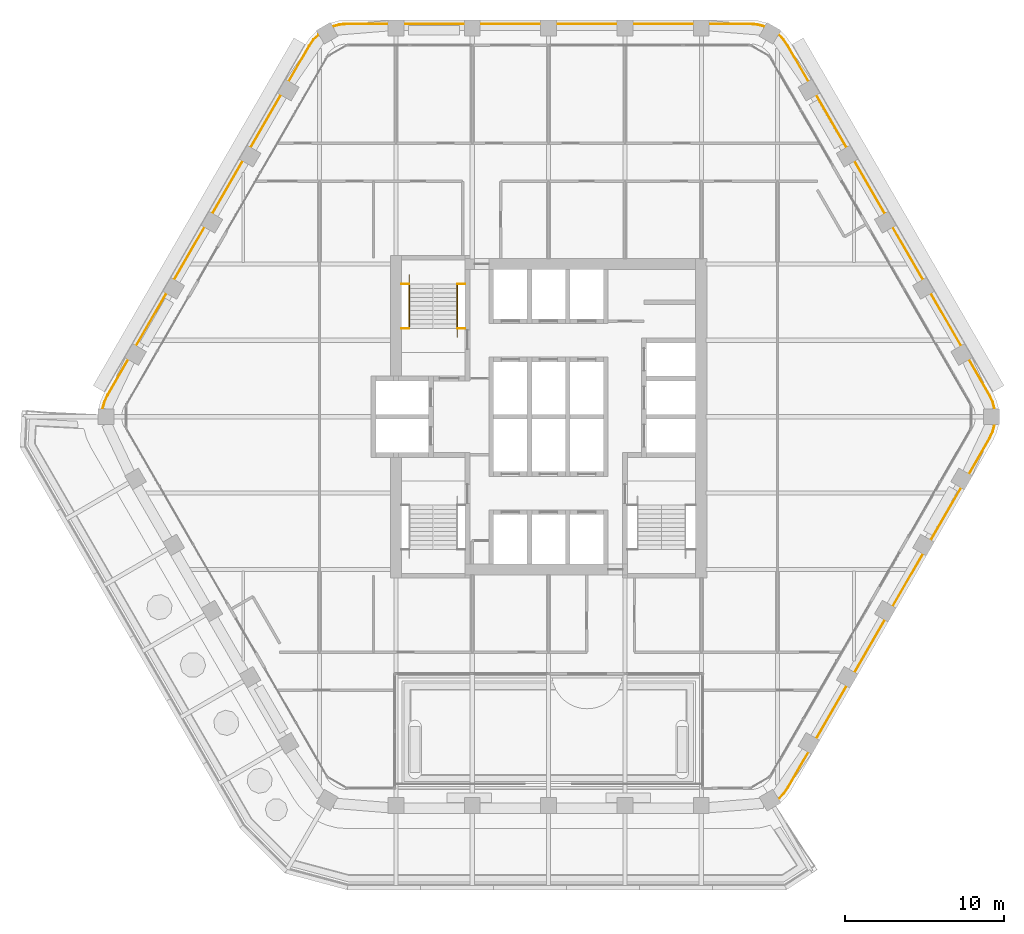
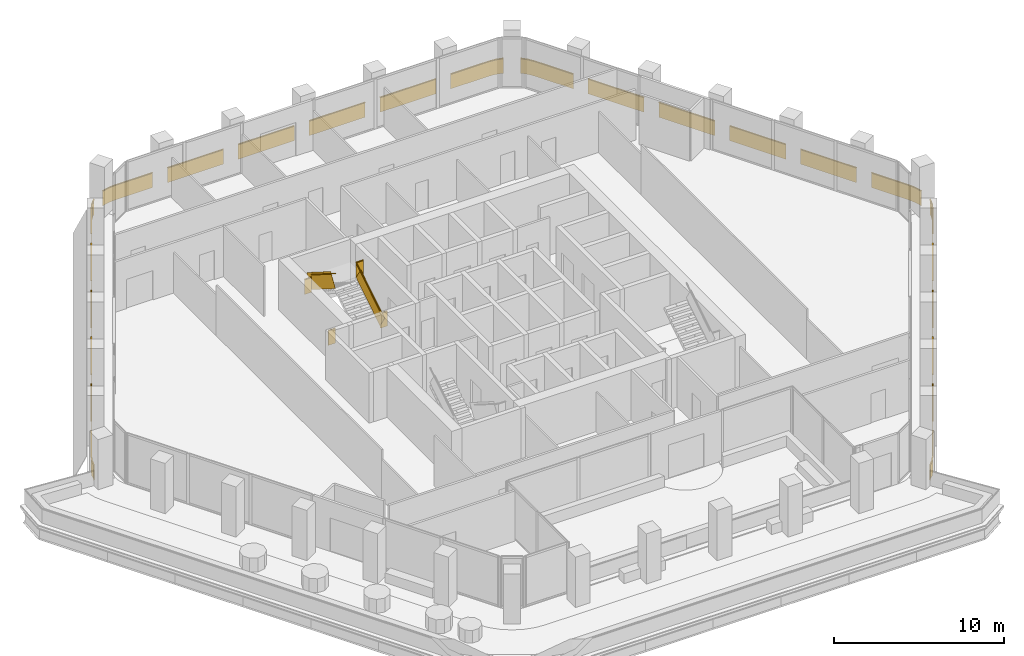
# One storey, part 18 of 18: 6 railings.
"""IFC4 building model written with IfcOpenShell, lengths in metres."""

from ifc_helpers import new_model, si_unit, direction, frame, frame_2d, origin, origin_2d, place, context, subcontext, project, spatial, rectangle, extrude, material, type_object, element, save


model = new_model("IFC4")

# Units and contexts
model_context = context("Model", 3, precision=1e-05, world=origin(), true_north=direction((0.0, 1.0)))
body_context = subcontext(model_context, "Body", "Model", "MODEL_VIEW")
ifc_project = project(units=[si_unit("LENGTHUNIT", "METRE"), si_unit("AREAUNIT", "SQUARE_METRE"), si_unit("VOLUMEUNIT", "CUBIC_METRE"), si_unit("PLANEANGLEUNIT", "RADIAN"), si_unit("MASSUNIT", "GRAM", prefix="KILO")], contexts=[model_context])

# Site, building, storey
site_placement = place(None, origin())
site = spatial("IfcSite", under=ifc_project, at=site_placement, CompositionType="ELEMENT")
building_placement = place(site_placement, origin())
building = spatial("IfcBuilding", under=site, at=building_placement, Name="Kolab Exchange Tower", CompositionType="ELEMENT")
storey_placement = place(building_placement, frame((0.0, 0.0, 212.89990234375)))
storey = spatial("IfcBuildingStorey", under=building, at=storey_placement, Name="L46", CompositionType="ELEMENT", Elevation=212.89990234375)

# Railings
ifc_material_1 = material(Name="Stainless steel 316", Category="steel")
railing_type_1 = type_object("IfcRailingType", Name="GUARD 1100", PredefinedType="GUARDRAIL", material=ifc_material_1)
railing_1_placement = place(storey_placement, frame((-9.25, 5.550048828125, 0.0)))
element("IfcRailing", 1, at=railing_1_placement, inside=storey, type_object=railing_type_1, Name="Guard ST1", PredefinedType="GUARDRAIL", context=body_context, shape_type="SweptSolid", body=[
    extrude(rectangle(XDim=0.05, YDim=0.05, at=origin_2d()), frame((0.0, 0.0, 1.0751953125), z_axis=(1.0, 0.0, 0.0), x_axis=(0.0, 1.0, 0.0)), (0.0, 0.0, 1.0), 0.489990234375),
    extrude(rectangle(XDim=0.012, YDim=1.05009765625, at=frame_2d((0.0, 0.525146484375))), frame((0.0, 0.0, 0.0), z_axis=(1.0, 0.0, 0.0), x_axis=(0.0, 1.0, 0.0)), (0.0, 0.0, 1.0), 0.489990234375),
    extrude(rectangle(XDim=0.05, YDim=0.05, at=origin_2d()), frame((3.510009765625, 0.0, 1.0751953125), z_axis=(1.0, 0.0, 0.0), x_axis=(0.0, 1.0, 0.0)), (0.0, 0.0, 1.0), 0.489990234375),
    extrude(rectangle(XDim=0.012, YDim=1.05009765625, at=frame_2d((0.0, 0.525146484375))), frame((3.510009765625, 0.0, 0.0), z_axis=(1.0, 0.0, 0.0), x_axis=(0.0, 1.0, 0.0)), (0.0, 0.0, 1.0), 0.489990234375),
    extrude(rectangle(XDim=0.05, YDim=0.05, at=origin_2d()), frame((0.0, 2.800048828125, 3.025390625), z_axis=(1.0, 0.0, 0.0), x_axis=(0.0, 1.0, 0.0)), (0.0, 0.0, 1.0), 0.489990234375),
    extrude(rectangle(XDim=0.012, YDim=1.05009765625, at=frame_2d((0.0, 0.525146484375))), frame((0.0, 2.800048828125, 1.9501953125), z_axis=(1.0, 0.0, 0.0), x_axis=(0.0, 1.0, 0.0)), (0.0, 0.0, 1.0), 0.489990234375),
    extrude(rectangle(XDim=0.05, YDim=0.05, at=origin_2d()), frame((3.510009765625, 2.800048828125, 3.025390625), z_axis=(1.0, 0.0, 0.0), x_axis=(0.0, 1.0, 0.0)), (0.0, 0.0, 1.0), 0.489990234375),
    extrude(rectangle(XDim=0.012, YDim=1.05009765625, at=frame_2d((0.0, 0.525146484375))), frame((3.510009765625, 2.800048828125, 1.9501953125), z_axis=(1.0, 0.0, 0.0), x_axis=(0.0, 1.0, 0.0)), (0.0, 0.0, 1.0), 0.489990234375),
])
railing_2_placement = place(storey_placement, frame((-5.739990234375, 5.550048828125, 0.177490234375)))
element("IfcRailing", 2, at=railing_2_placement, inside=storey, type_object=railing_type_1, Name="Handrail guard ST1", PredefinedType="GUARDRAIL", context=body_context, shape_type="SweptSolid", body=[
    extrude(rectangle(XDim=0.05, YDim=0.05, at=origin_2d()), frame((0.0, 0.0, 1.0751953125), z_axis=(0.0, 0.844908973607, 0.534910110503), x_axis=(-1.0, 0.0, 0.0)), (0.0, 0.0, 1.0), 3.31396484375),
    extrude(rectangle(XDim=0.012, YDim=1.05009765625, at=frame_2d((0.0, 0.525146484375))), frame((0.0, 0.0, 0.0), z_axis=(0.0, 0.844908973607, 0.534910110503), x_axis=(-1.0, 0.0, 0.0)), (0.0, 0.0, 1.0), 3.31396484375),
    extrude(rectangle(XDim=0.05, YDim=0.05, at=origin_2d()), frame((-3.02001953125, 2.800048828125, 3.025146484375), z_axis=(0.0, -0.844908973607, 0.534910110503), x_axis=(1.0, 0.0, 0.0)), (0.0, 0.0, 1.0), 3.31396484375),
    extrude(rectangle(XDim=0.012, YDim=1.05009765625, at=frame_2d((0.0, 0.525146484375))), frame((-3.02001953125, 2.800048828125, 1.949951171875), z_axis=(0.0, -0.844908973607, 0.534910110503), x_axis=(1.0, 0.0, 0.0)), (0.0, 0.0, 1.0), 3.31396484375),
])
ifc_material_2 = material(Name="Steel S235", Category="steel")
railing_type_2 = type_object("IfcRailingType", Name="GUARD 1100 GLASS BALUSTRADE AND STEEL TOP RAIL", PredefinedType="GUARDRAIL", material=ifc_material_2)
railing_3_placement = place(storey_placement, frame((13.588623046875, 24.531005859375, 0.0)))
element("IfcRailing", 3, at=railing_3_placement, inside=storey, type_object=railing_type_2, Name="Guard", PredefinedType="GUARDRAIL", context=body_context, shape_type="SweptSolid", body=[
    extrude(rectangle(XDim=0.05, YDim=0.05, at=origin_2d()), frame((0.0, 0.0, 1.0751953125), z_axis=(-0.965969425465, 0.25865627591, 0.0), x_axis=(-0.25865627591, -0.965969425465, 0.0)), (0.0, 0.0, 1.0), 0.458740234375),
    extrude(rectangle(XDim=0.012, YDim=1.05009765625, at=frame_2d((0.0, 0.525146484375))), frame((0.0, 0.0, 0.0), z_axis=(-0.965969425465, 0.25865627591, 0.0), x_axis=(-0.25865627591, -0.965969425465, 0.0)), (0.0, 0.0, 1.0), 0.458740234375),
    extrude(rectangle(XDim=0.05, YDim=0.05, at=origin_2d()), frame((-0.443115234375, 0.11865234375, 1.0751953125), z_axis=(-0.996156034798, 0.087596542937, 0.0), x_axis=(-0.087596542937, -0.996156034798, 0.0)), (0.0, 0.0, 1.0), 0.4794921875),
    extrude(rectangle(XDim=0.012, YDim=1.05009765625, at=frame_2d((0.0, 0.525146484375))), frame((-0.443115234375, 0.11865234375, 0.0), z_axis=(-0.996156034798, 0.087596542937, 0.0), x_axis=(-0.087596542937, -0.996156034798, 0.0)), (0.0, 0.0, 1.0), 0.4794921875),
    extrude(rectangle(XDim=0.05, YDim=0.05, at=origin_2d()), frame((-0.920654296875, 0.16064453125, 1.0751953125), z_axis=(-1.0, 0.0, 0.0), x_axis=(0.0, -1.0, 0.0)), (0.0, 0.0, 1.0), 2.56787109375),
    extrude(rectangle(XDim=0.012, YDim=1.05009765625, at=frame_2d((0.0, 0.525146484375))), frame((-0.920654296875, 0.16064453125, 0.0), z_axis=(-1.0, 0.0, 0.0), x_axis=(0.0, -1.0, 0.0)), (0.0, 0.0, 1.0), 2.56787109375),
    extrude(rectangle(XDim=0.05, YDim=0.05, at=origin_2d()), frame((-4.488525390625, 0.16064453125, 1.0751953125), z_axis=(-1.0, 0.0, 0.0), x_axis=(0.0, -1.0, 0.0)), (0.0, 0.0, 1.0), 3.800048828125),
    extrude(rectangle(XDim=0.012, YDim=1.05009765625, at=frame_2d((0.0, 0.525146484375))), frame((-4.488525390625, 0.16064453125, 0.0), z_axis=(-1.0, 0.0, 0.0), x_axis=(0.0, -1.0, 0.0)), (0.0, 0.0, 1.0), 3.800048828125),
    extrude(rectangle(XDim=0.05, YDim=0.05, at=origin_2d()), frame((-9.28857421875, 0.16064453125, 1.0751953125), z_axis=(-1.0, 0.0, 0.0), x_axis=(0.0, -1.0, 0.0)), (0.0, 0.0, 1.0), 3.800048828125),
    extrude(rectangle(XDim=0.012, YDim=1.05009765625, at=frame_2d((0.0, 0.525146484375))), frame((-9.28857421875, 0.16064453125, 0.0), z_axis=(-1.0, 0.0, 0.0), x_axis=(0.0, -1.0, 0.0)), (0.0, 0.0, 1.0), 3.800048828125),
    extrude(rectangle(XDim=0.05, YDim=0.05, at=origin_2d()), frame((-14.088623046875, 0.16064453125, 1.0751953125), z_axis=(-1.0, 0.0, 0.0), x_axis=(0.0, -1.0, 0.0)), (0.0, 0.0, 1.0), 3.800048828125),
    extrude(rectangle(XDim=0.012, YDim=1.05009765625, at=frame_2d((0.0, 0.525146484375))), frame((-14.088623046875, 0.16064453125, 0.0), z_axis=(-1.0, 0.0, 0.0), x_axis=(0.0, -1.0, 0.0)), (0.0, 0.0, 1.0), 3.800048828125),
    extrude(rectangle(XDim=0.05, YDim=0.05, at=origin_2d()), frame((-18.888671875, 0.16064453125, 1.0751953125), z_axis=(-1.0, 0.0, 0.0), x_axis=(0.0, -1.0, 0.0)), (0.0, 0.0, 1.0), 3.800048828125),
    extrude(rectangle(XDim=0.012, YDim=1.05009765625, at=frame_2d((0.0, 0.525146484375))), frame((-18.888671875, 0.16064453125, 0.0), z_axis=(-1.0, 0.0, 0.0), x_axis=(0.0, -1.0, 0.0)), (0.0, 0.0, 1.0), 3.800048828125),
    extrude(rectangle(XDim=0.05, YDim=0.05, at=origin_2d()), frame((-23.688720703125, 0.16064453125, 1.0751953125), z_axis=(-1.0, 0.0, 0.0), x_axis=(0.0, -1.0, 0.0)), (0.0, 0.0, 1.0), 2.56787109375),
    extrude(rectangle(XDim=0.012, YDim=1.05009765625, at=frame_2d((0.0, 0.525146484375))), frame((-23.688720703125, 0.16064453125, 0.0), z_axis=(-1.0, 0.0, 0.0), x_axis=(0.0, -1.0, 0.0)), (0.0, 0.0, 1.0), 2.56787109375),
    extrude(rectangle(XDim=0.05, YDim=0.05, at=origin_2d()), frame((-26.256591796875, 0.16064453125, 1.0751953125), z_axis=(-0.996156034798, -0.087596542937, 0.0), x_axis=(0.087596542937, -0.996156034798, 0.0)), (0.0, 0.0, 1.0), 0.4794921875),
    extrude(rectangle(XDim=0.012, YDim=1.05009765625, at=frame_2d((0.0, 0.525146484375))), frame((-26.256591796875, 0.16064453125, 0.0), z_axis=(-0.996156034798, -0.087596542937, 0.0), x_axis=(0.087596542937, -0.996156034798, 0.0)), (0.0, 0.0, 1.0), 0.4794921875),
    extrude(rectangle(XDim=0.05, YDim=0.05, at=origin_2d()), frame((-26.734130859375, 0.11865234375, 1.0751953125), z_axis=(-0.965969425465, -0.25865627591, 0.0), x_axis=(0.25865627591, -0.965969425465, 0.0)), (0.0, 0.0, 1.0), 0.458740234375),
    extrude(rectangle(XDim=0.012, YDim=1.05009765625, at=frame_2d((0.0, 0.525146484375))), frame((-26.734130859375, 0.11865234375, 0.0), z_axis=(-0.965969425465, -0.25865627591, 0.0), x_axis=(0.25865627591, -0.965969425465, 0.0)), (0.0, 0.0, 1.0), 0.458740234375),
])
railing_4_placement = place(storey_placement, frame((28.038818359375, 0.49755859375, 0.0)))
element("IfcRailing", 4, at=railing_4_placement, inside=storey, type_object=railing_type_2, Name="Guard", PredefinedType="GUARDRAIL", context=body_context, shape_type="SweptSolid", body=[
    extrude(rectangle(XDim=0.05, YDim=0.05, at=origin_2d()), frame((0.0, 0.0, 1.0751953125), z_axis=(-0.25865627591, 0.965969425465, 0.0), x_axis=(-0.965969425465, -0.25865627591, 0.0)), (0.0, 0.0, 1.0), 0.458740234375),
    extrude(rectangle(XDim=0.012, YDim=1.05009765625, at=frame_2d((0.0, 0.525146484375))), frame((0.0, 0.0, 0.0), z_axis=(-0.25865627591, 0.965969425465, 0.0), x_axis=(-0.965969425465, -0.25865627591, 0.0)), (0.0, 0.0, 1.0), 0.458740234375),
    extrude(rectangle(XDim=0.05, YDim=0.05, at=origin_2d()), frame((-0.11865234375, 0.443115234375, 1.0751953125), z_axis=(-0.422801802984, 0.906222177721, 0.0), x_axis=(-0.906222177721, -0.422801802984, 0.0)), (0.0, 0.0, 1.0), 0.479248046875),
    extrude(rectangle(XDim=0.012, YDim=1.05009765625, at=frame_2d((0.0, 0.525146484375))), frame((-0.11865234375, 0.443115234375, 0.0), z_axis=(-0.422801802984, 0.906222177721, 0.0), x_axis=(-0.906222177721, -0.422801802984, 0.0)), (0.0, 0.0, 1.0), 0.479248046875),
    extrude(rectangle(XDim=0.05, YDim=0.05, at=origin_2d()), frame((-0.3212890625, 0.87744140625, 1.0751953125), z_axis=(-0.499994038704, 0.866028845513, 0.0), x_axis=(-0.866028845513, -0.499994038704, 0.0)), (0.0, 0.0, 1.0), 2.56787109375),
    extrude(rectangle(XDim=0.012, YDim=1.05009765625, at=frame_2d((0.0, 0.525146484375))), frame((-0.3212890625, 0.87744140625, 0.0), z_axis=(-0.499994038704, 0.866028845513, 0.0), x_axis=(-0.866028845513, -0.499994038704, 0.0)), (0.0, 0.0, 1.0), 2.56787109375),
    extrude(rectangle(XDim=0.05, YDim=0.05, at=origin_2d()), frame((-2.105224609375, 3.96728515625, 1.0751953125), z_axis=(-0.500015340139, 0.86601654697, 0.0), x_axis=(-0.86601654697, -0.500015340139, 0.0)), (0.0, 0.0, 1.0), 3.80029296875),
    extrude(rectangle(XDim=0.012, YDim=1.05009765625, at=frame_2d((0.0, 0.525146484375))), frame((-2.105224609375, 3.96728515625, 0.0), z_axis=(-0.500015340139, 0.86601654697, 0.0), x_axis=(-0.86601654697, -0.500015340139, 0.0)), (0.0, 0.0, 1.0), 3.80029296875),
    extrude(rectangle(XDim=0.05, YDim=0.05, at=origin_2d()), frame((-4.50537109375, 8.124267578125, 1.0751953125), z_axis=(-0.499967155389, 0.866044365799, 0.0), x_axis=(-0.866044365799, -0.499967155389, 0.0)), (0.0, 0.0, 1.0), 3.800048828125),
    extrude(rectangle(XDim=0.012, YDim=1.05009765625, at=frame_2d((0.0, 0.525146484375))), frame((-4.50537109375, 8.124267578125, 0.0), z_axis=(-0.499967155389, 0.866044365799, 0.0), x_axis=(-0.866044365799, -0.499967155389, 0.0)), (0.0, 0.0, 1.0), 3.800048828125),
    extrude(rectangle(XDim=0.05, YDim=0.05, at=origin_2d()), frame((-6.9052734375, 12.28125, 1.0751953125), z_axis=(-0.500043160704, 0.866000483506, 0.0), x_axis=(-0.866000483506, -0.500043160704, 0.0)), (0.0, 0.0, 1.0), 3.800048828125),
    extrude(rectangle(XDim=0.012, YDim=1.05009765625, at=frame_2d((0.0, 0.525146484375))), frame((-6.9052734375, 12.28125, 0.0), z_axis=(-0.500043160704, 0.866000483506, 0.0), x_axis=(-0.866000483506, -0.500043160704, 0.0)), (0.0, 0.0, 1.0), 3.800048828125),
    extrude(rectangle(XDim=0.05, YDim=0.05, at=origin_2d()), frame((-9.305419921875, 16.438232421875, 1.0751953125), z_axis=(-0.499994975061, 0.866028304915, 0.0), x_axis=(-0.866028304915, -0.499994975061, 0.0)), (0.0, 0.0, 1.0), 3.7998046875),
    extrude(rectangle(XDim=0.012, YDim=1.05009765625, at=frame_2d((0.0, 0.525146484375))), frame((-9.305419921875, 16.438232421875, 0.0), z_axis=(-0.499994975061, 0.866028304915, 0.0), x_axis=(-0.866028304915, -0.499994975061, 0.0)), (0.0, 0.0, 1.0), 3.7998046875),
    extrude(rectangle(XDim=0.05, YDim=0.05, at=origin_2d()), frame((-11.705322265625, 20.594970703125, 1.0751953125), z_axis=(-0.499952873616, 0.866052610505, 0.0), x_axis=(-0.866052610505, -0.499952873616, 0.0)), (0.0, 0.0, 1.0), 2.568115234375),
    extrude(rectangle(XDim=0.012, YDim=1.05009765625, at=frame_2d((0.0, 0.525146484375))), frame((-11.705322265625, 20.594970703125, 0.0), z_axis=(-0.499952873616, 0.866052610505, 0.0), x_axis=(-0.866052610505, -0.499952873616, 0.0)), (0.0, 0.0, 1.0), 2.568115234375),
    extrude(rectangle(XDim=0.05, YDim=0.05, at=origin_2d()), frame((-12.9892578125, 22.819091796875, 1.0751953125), z_axis=(-0.573599091554, 0.819136180478, 0.0), x_axis=(-0.819136180478, -0.573599091554, 0.0)), (0.0, 0.0, 1.0), 0.479248046875),
    extrude(rectangle(XDim=0.012, YDim=1.05009765625, at=frame_2d((0.0, 0.525146484375))), frame((-12.9892578125, 22.819091796875, 0.0), z_axis=(-0.573599091554, 0.819136180478, 0.0), x_axis=(-0.819136180478, -0.573599091554, 0.0)), (0.0, 0.0, 1.0), 0.479248046875),
    extrude(rectangle(XDim=0.05, YDim=0.05, at=origin_2d()), frame((-13.26416015625, 23.211669921875, 1.0751953125), z_axis=(-0.70737286085, 0.706840601361, 0.0), x_axis=(-0.706840601361, -0.70737286085, 0.0)), (0.0, 0.0, 1.0), 0.458740234375),
    extrude(rectangle(XDim=0.012, YDim=1.05009765625, at=frame_2d((0.0, 0.525146484375))), frame((-13.26416015625, 23.211669921875, 0.0), z_axis=(-0.70737286085, 0.706840601361, 0.0), x_axis=(-0.706840601361, -0.70737286085, 0.0)), (0.0, 0.0, 1.0), 0.458740234375),
])
railing_5_placement = place(storey_placement, frame((14.4501953125, -24.033447265625, 0.0)))
element("IfcRailing", 5, at=railing_5_placement, inside=storey, type_object=railing_type_2, Name="Guard", PredefinedType="GUARDRAIL", context=body_context, shape_type="SweptSolid", body=[
    extrude(rectangle(XDim=0.05, YDim=0.05, at=origin_2d()), frame((0.0, 0.0, 1.0751953125), z_axis=(0.70737286085, 0.706840601361, 0.0), x_axis=(-0.706840601361, 0.70737286085, 0.0)), (0.0, 0.0, 1.0), 0.458740234375),
    extrude(rectangle(XDim=0.012, YDim=1.05009765625, at=frame_2d((0.0, 0.525146484375))), frame((0.0, 0.0, 0.0), z_axis=(0.70737286085, 0.706840601361, 0.0), x_axis=(-0.706840601361, 0.70737286085, 0.0)), (0.0, 0.0, 1.0), 0.458740234375),
    extrude(rectangle(XDim=0.05, YDim=0.05, at=origin_2d()), frame((0.324462890625, 0.32421875, 1.0751953125), z_axis=(0.573599091554, 0.819136180478, 0.0), x_axis=(-0.819136180478, 0.573599091554, 0.0)), (0.0, 0.0, 1.0), 0.479248046875),
    extrude(rectangle(XDim=0.012, YDim=1.05009765625, at=frame_2d((0.0, 0.525146484375))), frame((0.324462890625, 0.32421875, 0.0), z_axis=(0.573599091554, 0.819136180478, 0.0), x_axis=(-0.819136180478, 0.573599091554, 0.0)), (0.0, 0.0, 1.0), 0.479248046875),
    extrude(rectangle(XDim=0.05, YDim=0.05, at=origin_2d()), frame((0.599365234375, 0.716796875, 1.0751953125), z_axis=(0.499952873616, 0.866052610505, 0.0), x_axis=(-0.866052610505, 0.499952873616, 0.0)), (0.0, 0.0, 1.0), 2.568115234375),
    extrude(rectangle(XDim=0.012, YDim=1.05009765625, at=frame_2d((0.0, 0.525146484375))), frame((0.599365234375, 0.716796875, 0.0), z_axis=(0.499952873616, 0.866052610505, 0.0), x_axis=(-0.866052610505, 0.499952873616, 0.0)), (0.0, 0.0, 1.0), 2.568115234375),
    extrude(rectangle(XDim=0.05, YDim=0.05, at=origin_2d()), frame((2.38330078125, 3.806884765625, 1.0751953125), z_axis=(0.499994975061, 0.866028304915, 0.0), x_axis=(-0.866028304915, 0.499994975061, 0.0)), (0.0, 0.0, 1.0), 3.7998046875),
    extrude(rectangle(XDim=0.012, YDim=1.05009765625, at=frame_2d((0.0, 0.525146484375))), frame((2.38330078125, 3.806884765625, 0.0), z_axis=(0.499994975061, 0.866028304915, 0.0), x_axis=(-0.866028304915, 0.499994975061, 0.0)), (0.0, 0.0, 1.0), 3.7998046875),
    extrude(rectangle(XDim=0.05, YDim=0.05, at=origin_2d()), frame((4.783203125, 7.9638671875, 1.0751953125), z_axis=(0.500043160704, 0.866000483506, 0.0), x_axis=(-0.866000483506, 0.500043160704, 0.0)), (0.0, 0.0, 1.0), 3.800048828125),
    extrude(rectangle(XDim=0.012, YDim=1.05009765625, at=frame_2d((0.0, 0.525146484375))), frame((4.783203125, 7.9638671875, 0.0), z_axis=(0.500043160704, 0.866000483506, 0.0), x_axis=(-0.866000483506, 0.500043160704, 0.0)), (0.0, 0.0, 1.0), 3.800048828125),
    extrude(rectangle(XDim=0.05, YDim=0.05, at=origin_2d()), frame((7.183349609375, 12.12060546875, 1.0751953125), z_axis=(0.499967155389, 0.866044365799, 0.0), x_axis=(-0.866044365799, 0.499967155389, 0.0)), (0.0, 0.0, 1.0), 3.800048828125),
    extrude(rectangle(XDim=0.012, YDim=1.05009765625, at=frame_2d((0.0, 0.525146484375))), frame((7.183349609375, 12.12060546875, 0.0), z_axis=(0.499967155389, 0.866044365799, 0.0), x_axis=(-0.866044365799, 0.499967155389, 0.0)), (0.0, 0.0, 1.0), 3.800048828125),
    extrude(rectangle(XDim=0.05, YDim=0.05, at=origin_2d()), frame((9.583251953125, 16.277587890625, 1.0751953125), z_axis=(0.500015340139, 0.86601654697, 0.0), x_axis=(-0.86601654697, 0.500015340139, 0.0)), (0.0, 0.0, 1.0), 3.80029296875),
    extrude(rectangle(XDim=0.012, YDim=1.05009765625, at=frame_2d((0.0, 0.525146484375))), frame((9.583251953125, 16.277587890625, 0.0), z_axis=(0.500015340139, 0.86601654697, 0.0), x_axis=(-0.86601654697, 0.500015340139, 0.0)), (0.0, 0.0, 1.0), 3.80029296875),
    extrude(rectangle(XDim=0.05, YDim=0.05, at=origin_2d()), frame((11.9833984375, 20.4345703125, 1.0751953125), z_axis=(0.499994038704, 0.866028845513, 0.0), x_axis=(-0.866028845513, 0.499994038704, 0.0)), (0.0, 0.0, 1.0), 2.56787109375),
    extrude(rectangle(XDim=0.012, YDim=1.05009765625, at=frame_2d((0.0, 0.525146484375))), frame((11.9833984375, 20.4345703125, 0.0), z_axis=(0.499994038704, 0.866028845513, 0.0), x_axis=(-0.866028845513, 0.499994038704, 0.0)), (0.0, 0.0, 1.0), 2.56787109375),
    extrude(rectangle(XDim=0.05, YDim=0.05, at=origin_2d()), frame((13.267333984375, 22.658447265625, 1.0751953125), z_axis=(0.422801802984, 0.906222177721, 0.0), x_axis=(-0.906222177721, 0.422801802984, 0.0)), (0.0, 0.0, 1.0), 0.479248046875),
    extrude(rectangle(XDim=0.012, YDim=1.05009765625, at=frame_2d((0.0, 0.525146484375))), frame((13.267333984375, 22.658447265625, 0.0), z_axis=(0.422801802984, 0.906222177721, 0.0), x_axis=(-0.906222177721, 0.422801802984, 0.0)), (0.0, 0.0, 1.0), 0.479248046875),
    extrude(rectangle(XDim=0.05, YDim=0.05, at=origin_2d()), frame((13.469970703125, 23.0927734375, 1.0751953125), z_axis=(0.25865627591, 0.965969425465, 0.0), x_axis=(-0.965969425465, 0.25865627591, 0.0)), (0.0, 0.0, 1.0), 0.458740234375),
    extrude(rectangle(XDim=0.012, YDim=1.05009765625, at=frame_2d((0.0, 0.525146484375))), frame((13.469970703125, 23.0927734375, 0.0), z_axis=(0.25865627591, 0.965969425465, 0.0), x_axis=(-0.965969425465, 0.25865627591, 0.0)), (0.0, 0.0, 1.0), 0.458740234375),
])
railing_6_placement = place(storey_placement, frame((-14.4501953125, 24.033447265625, 0.0)))
element("IfcRailing", 6, at=railing_6_placement, inside=storey, type_object=railing_type_2, Name="Guard", PredefinedType="GUARDRAIL", context=body_context, shape_type="SweptSolid", body=[
    extrude(rectangle(XDim=0.05, YDim=0.05, at=origin_2d()), frame((0.0, 0.0, 1.0751953125), z_axis=(-0.70737286085, -0.706840601361, 0.0), x_axis=(0.706840601361, -0.70737286085, 0.0)), (0.0, 0.0, 1.0), 0.458740234375),
    extrude(rectangle(XDim=0.012, YDim=1.05009765625, at=frame_2d((0.0, 0.525146484375))), frame((0.0, 0.0, 0.0), z_axis=(-0.70737286085, -0.706840601361, 0.0), x_axis=(0.706840601361, -0.70737286085, 0.0)), (0.0, 0.0, 1.0), 0.458740234375),
    extrude(rectangle(XDim=0.05, YDim=0.05, at=origin_2d()), frame((-0.324462890625, -0.32421875, 1.0751953125), z_axis=(-0.573599091554, -0.819136180478, 0.0), x_axis=(0.819136180478, -0.573599091554, 0.0)), (0.0, 0.0, 1.0), 0.479248046875),
    extrude(rectangle(XDim=0.012, YDim=1.05009765625, at=frame_2d((0.0, 0.525146484375))), frame((-0.324462890625, -0.32421875, 0.0), z_axis=(-0.573599091554, -0.819136180478, 0.0), x_axis=(0.819136180478, -0.573599091554, 0.0)), (0.0, 0.0, 1.0), 0.479248046875),
    extrude(rectangle(XDim=0.05, YDim=0.05, at=origin_2d()), frame((-0.599365234375, -0.716796875, 1.0751953125), z_axis=(-0.499952873616, -0.866052610505, 0.0), x_axis=(0.866052610505, -0.499952873616, 0.0)), (0.0, 0.0, 1.0), 2.568115234375),
    extrude(rectangle(XDim=0.012, YDim=1.05009765625, at=frame_2d((0.0, 0.525146484375))), frame((-0.599365234375, -0.716796875, 0.0), z_axis=(-0.499952873616, -0.866052610505, 0.0), x_axis=(0.866052610505, -0.499952873616, 0.0)), (0.0, 0.0, 1.0), 2.568115234375),
    extrude(rectangle(XDim=0.05, YDim=0.05, at=origin_2d()), frame((-2.38330078125, -3.806884765625, 1.0751953125), z_axis=(-0.499994975061, -0.866028304915, 0.0), x_axis=(0.866028304915, -0.499994975061, 0.0)), (0.0, 0.0, 1.0), 3.7998046875),
    extrude(rectangle(XDim=0.012, YDim=1.05009765625, at=frame_2d((0.0, 0.525146484375))), frame((-2.38330078125, -3.806884765625, 0.0), z_axis=(-0.499994975061, -0.866028304915, 0.0), x_axis=(0.866028304915, -0.499994975061, 0.0)), (0.0, 0.0, 1.0), 3.7998046875),
    extrude(rectangle(XDim=0.05, YDim=0.05, at=origin_2d()), frame((-4.783203125, -7.9638671875, 1.0751953125), z_axis=(-0.500043160704, -0.866000483506, 0.0), x_axis=(0.866000483506, -0.500043160704, 0.0)), (0.0, 0.0, 1.0), 3.800048828125),
    extrude(rectangle(XDim=0.012, YDim=1.05009765625, at=frame_2d((0.0, 0.525146484375))), frame((-4.783203125, -7.9638671875, 0.0), z_axis=(-0.500043160704, -0.866000483506, 0.0), x_axis=(0.866000483506, -0.500043160704, 0.0)), (0.0, 0.0, 1.0), 3.800048828125),
    extrude(rectangle(XDim=0.05, YDim=0.05, at=origin_2d()), frame((-7.183349609375, -12.12060546875, 1.0751953125), z_axis=(-0.499967155389, -0.866044365799, 0.0), x_axis=(0.866044365799, -0.499967155389, 0.0)), (0.0, 0.0, 1.0), 3.800048828125),
    extrude(rectangle(XDim=0.012, YDim=1.05009765625, at=frame_2d((0.0, 0.525146484375))), frame((-7.183349609375, -12.12060546875, 0.0), z_axis=(-0.499967155389, -0.866044365799, 0.0), x_axis=(0.866044365799, -0.499967155389, 0.0)), (0.0, 0.0, 1.0), 3.800048828125),
    extrude(rectangle(XDim=0.05, YDim=0.05, at=origin_2d()), frame((-9.583251953125, -16.277587890625, 1.0751953125), z_axis=(-0.500015340139, -0.86601654697, 0.0), x_axis=(0.86601654697, -0.500015340139, 0.0)), (0.0, 0.0, 1.0), 3.80029296875),
    extrude(rectangle(XDim=0.012, YDim=1.05009765625, at=frame_2d((0.0, 0.525146484375))), frame((-9.583251953125, -16.277587890625, 0.0), z_axis=(-0.500015340139, -0.86601654697, 0.0), x_axis=(0.86601654697, -0.500015340139, 0.0)), (0.0, 0.0, 1.0), 3.80029296875),
    extrude(rectangle(XDim=0.05, YDim=0.05, at=origin_2d()), frame((-11.9833984375, -20.4345703125, 1.0751953125), z_axis=(-0.499994038704, -0.866028845513, 0.0), x_axis=(0.866028845513, -0.499994038704, 0.0)), (0.0, 0.0, 1.0), 2.56787109375),
    extrude(rectangle(XDim=0.012, YDim=1.05009765625, at=frame_2d((0.0, 0.525146484375))), frame((-11.9833984375, -20.4345703125, 0.0), z_axis=(-0.499994038704, -0.866028845513, 0.0), x_axis=(0.866028845513, -0.499994038704, 0.0)), (0.0, 0.0, 1.0), 2.56787109375),
    extrude(rectangle(XDim=0.05, YDim=0.05, at=origin_2d()), frame((-13.267333984375, -22.658447265625, 1.0751953125), z_axis=(-0.422801802984, -0.906222177721, 0.0), x_axis=(0.906222177721, -0.422801802984, 0.0)), (0.0, 0.0, 1.0), 0.479248046875),
    extrude(rectangle(XDim=0.012, YDim=1.05009765625, at=frame_2d((0.0, 0.525146484375))), frame((-13.267333984375, -22.658447265625, 0.0), z_axis=(-0.422801802984, -0.906222177721, 0.0), x_axis=(0.906222177721, -0.422801802984, 0.0)), (0.0, 0.0, 1.0), 0.479248046875),
    extrude(rectangle(XDim=0.05, YDim=0.05, at=origin_2d()), frame((-13.469970703125, -23.0927734375, 1.0751953125), z_axis=(-0.25865627591, -0.965969425465, 0.0), x_axis=(0.965969425465, -0.25865627591, 0.0)), (0.0, 0.0, 1.0), 0.458740234375),
    extrude(rectangle(XDim=0.012, YDim=1.05009765625, at=frame_2d((0.0, 0.525146484375))), frame((-13.469970703125, -23.0927734375, 0.0), z_axis=(-0.25865627591, -0.965969425465, 0.0), x_axis=(0.965969425465, -0.25865627591, 0.0)), (0.0, 0.0, 1.0), 0.458740234375),
])

save(model, "model.ifc")
